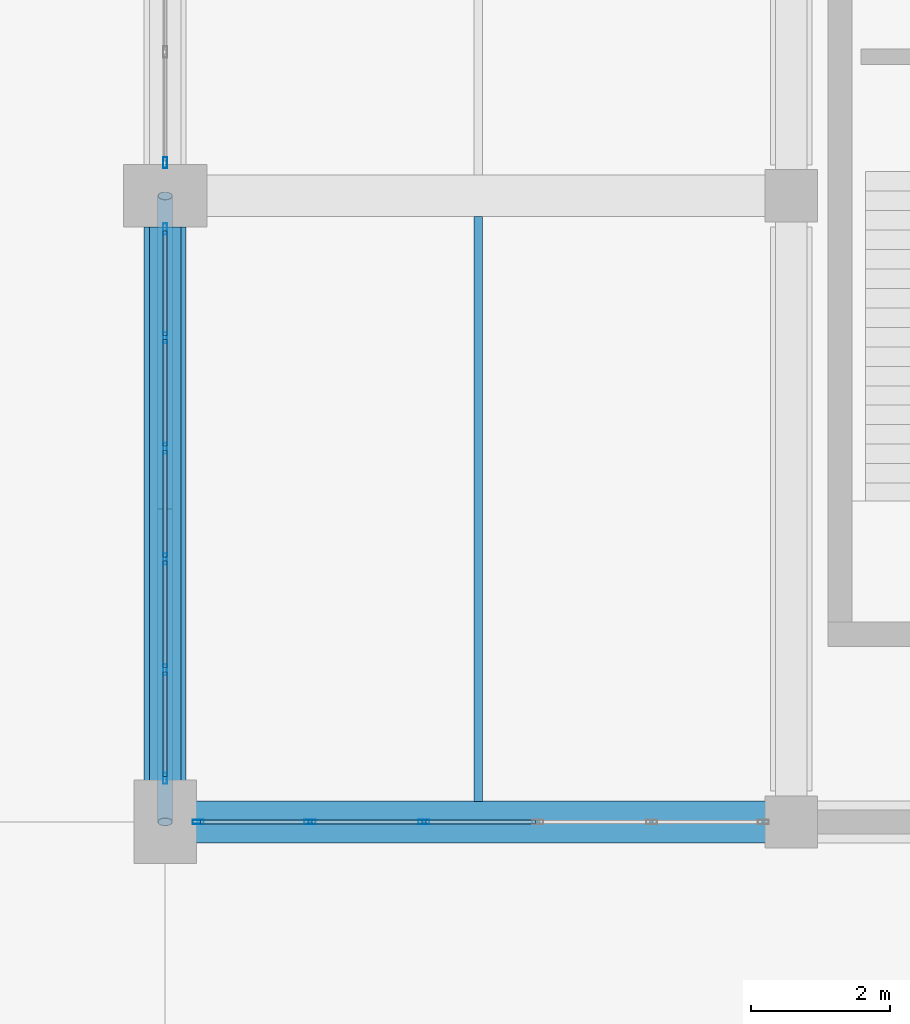
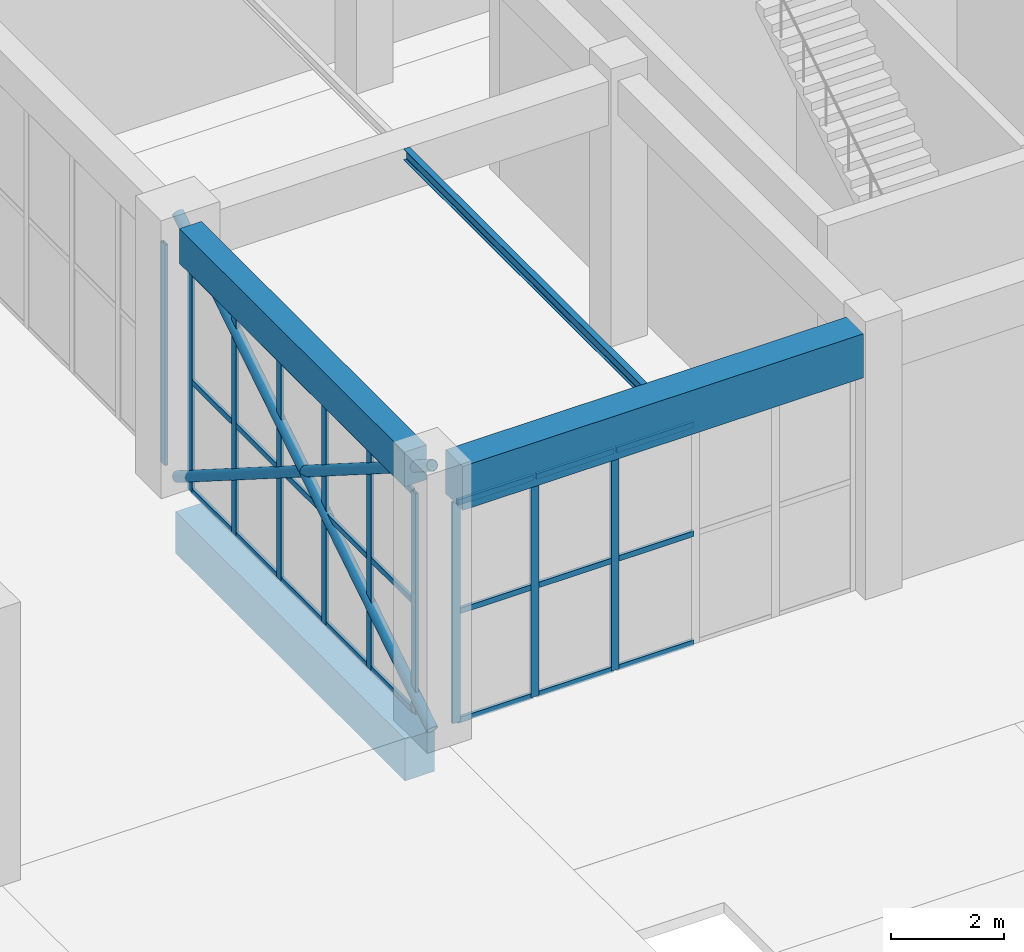
# One storey, part 30 of 91: 36 members, 4 beams, 3 elements without a shape of their own.
"""IFC4 building model written with IfcOpenShell, lengths in metres."""

from ifc_helpers import new_model, si_unit, direction, frame, origin, origin_2d, place, context, subcontext, project, spatial, rectangle, hollow_rectangle, hollow_circle, i_section, extrude, material, layer, layer_set, material_profile, profile_set, type_object, element, aggregate, save


model = new_model("IFC4")

# Units and contexts
model_context = context("Model", 3, precision=1e-05, world=origin(), true_north=direction((0.0, 1.0)))
body_context = subcontext(model_context, "Body", "Model", "MODEL_VIEW")
ifc_project = project(units=[si_unit("LENGTHUNIT", "METRE"), si_unit("AREAUNIT", "SQUARE_METRE"), si_unit("VOLUMEUNIT", "CUBIC_METRE"), si_unit("PLANEANGLEUNIT", "RADIAN"), si_unit("MASSUNIT", "GRAM", prefix="KILO")], contexts=[model_context])

# Site, building, storey
site_placement = place(None, origin())
site = spatial("IfcSite", under=ifc_project, at=site_placement, CompositionType="ELEMENT")
building_placement = place(site_placement, origin())
building = spatial("IfcBuilding", under=site, at=building_placement, Name="Dornveld Trade and Exhibition Forum", CompositionType="ELEMENT")
storey_placement = place(building_placement, origin())
storey = spatial("IfcBuildingStorey", under=building, at=storey_placement, Name="L00", CompositionType="ELEMENT", Elevation=0.0)

# Beams
ifc_material_1 = material(Name="Concrete C40/50", Category="concrete")
ifc_material_profile_1 = material_profile(ifc_material_1, rectangle(XDim=0.60009765625, YDim=0.89990234375, at=origin_2d()), Name="RC-GB 600x900")
ifc_profile_set_1 = profile_set([ifc_material_profile_1], Name="Concrete C40/50")
beam_type_1 = type_object("IfcBeamType", Name="BM-GB-600x900", PredefinedType="BEAM", material=ifc_profile_set_1)
beam_1_placement = place(storey_placement, frame((171.0, 108.446044921875, -0.830078125), z_axis=(0.0, 1.0, 0.0), x_axis=(-1.0, 0.0, 0.0)))
element("IfcBeam", 1, at=beam_1_placement, inside=storey, type_object=beam_type_1, Name="L00 Y-girder 517", PredefinedType="BEAM", context=body_context, shape_type="SweptSolid", body=[
    extrude(rectangle(XDim=0.60009765625, YDim=0.89990234375, at=origin_2d()), origin(), (0.0, 0.0, 1.0), 8.10791015625),
])
ifc_material_2 = material(Name="Steel S355J2", Category="steel")
ifc_material_profile_2 = material_profile(ifc_material_2, i_section(OverallWidth=0.1201171875, OverallDepth=0.239990234375, WebThickness=0.006103515625, FlangeThickness=0.009765625, FilletRadius=0.014892578125, at=origin_2d()), Name="IPE 240")
ifc_profile_set_2 = profile_set([ifc_material_profile_2], Name="Steel S355J2")
beam_type_2 = type_object("IfcBeamType", Name="BM-JOIST-240", PredefinedType="JOIST", material=ifc_profile_set_2)
beam_2_placement = place(storey_placement, frame((175.5, 108.297119140625, 5.580078125), z_axis=(0.0, 1.0, 0.0), x_axis=(-1.0, 0.0, 0.0)))
element("IfcBeam", 2, at=beam_2_placement, inside=storey, type_object=beam_type_2, Name="L00 secondary joist 1003", PredefinedType="JOIST", context=body_context, shape_type="SweptSolid", body=[
    extrude(i_section(OverallWidth=0.1201171875, OverallDepth=0.239990234375, WebThickness=0.006103515625, FlangeThickness=0.009765625, FilletRadius=0.014892578125, at=origin_2d()), origin(), (0.0, 0.0, 1.0), 8.40576171875),
])
ifc_material_3 = material(Name="Precast concrete C50/60", Category="concrete")
ifc_material_profile_3 = material_profile(ifc_material_3, rectangle(XDim=0.449951171875, YDim=0.75, at=origin_2d()), Name="PC-BM 450x750")
ifc_profile_set_3 = profile_set([ifc_material_profile_3], Name="Precast concrete C50/60")
beam_type_3 = type_object("IfcBeamType", Name="BM-PC-450x750", PredefinedType="BEAM", material=ifc_profile_set_3)
beam_3_placement = place(storey_placement, frame((171.0, 108.595947265625, 5.324951171875), z_axis=(0.0, 1.0, 0.0), x_axis=(-1.0, 0.0, 0.0)))
element("IfcBeam", 3, at=beam_3_placement, inside=storey, type_object=beam_type_3, Name="L00 Y-girder 979", PredefinedType="BEAM", context=body_context, shape_type="SweptSolid", body=[
    extrude(rectangle(XDim=0.449951171875, YDim=0.75, at=origin_2d()), origin(), (0.0, 0.0, 1.0), 7.9580078125),
])
ifc_material_4 = material(Name="Precast concrete C50/60", Category="concrete")
ifc_material_profile_4 = material_profile(ifc_material_4, rectangle(XDim=0.60009765625, YDim=0.949951171875, at=origin_2d()), Name="PC-GIR 600x950")
ifc_profile_set_4 = profile_set([ifc_material_profile_4], Name="Precast concrete C50/60")
beam_type_4 = type_object("IfcBeamType", Name="BM-PC-600x950", PredefinedType="T_BEAM", material=ifc_profile_set_4)
beam_4_placement = place(storey_placement, frame((171.446044921875, 108.0, 5.22509765625), z_axis=(1.0, 0.0, 0.0), x_axis=(0.0, 1.0, 0.0)))
element("IfcBeam", 4, at=beam_4_placement, inside=storey, type_object=beam_type_4, Name="L00 X-girder 955", PredefinedType="T_BEAM", context=body_context, shape_type="SweptSolid", body=[
    extrude(rectangle(XDim=0.60009765625, YDim=0.949951171875, at=origin_2d()), origin(), (0.0, 0.0, 1.0), 8.182861328125),
])

# Curtain wall, members
ifc_material_5 = material(Name="Dark-bronze anodised aluminium and low-E glass", Category="aluminium")
ifc_layer_1 = layer(ifc_material_5, 0.14501953125)
ifc_layer_set_1 = layer_set([ifc_layer_1], Name="Dark-bronze anodised aluminium and low-E glass")
curtain_wall_type_1 = type_object("IfcCurtainWallType", Name="CW-SYS-01", PredefinedType="USERDEFINED", material=ifc_layer_set_1)
curtain_wall_1_placement = place(storey_placement, origin())
curtain_wall_1 = element("IfcCurtainWall", 5, at=curtain_wall_1_placement, inside=storey, type_object=curtain_wall_type_1, Name="L00 unitised curtain wall 1", ObjectType="UNITISED_CURTAIN_WALL", PredefinedType="USERDEFINED")
ifc_material_6 = material(Name="Dark-bronze anodised aluminium", Category="aluminium")
ifc_material_profile_5 = material_profile(ifc_material_6, hollow_rectangle(XDim=0.06005859375, YDim=0.159912109375, WallThickness=0.00390625, at=origin_2d()), Name="RHS 160x60x4")
ifc_profile_set_5 = profile_set([ifc_material_profile_5], Name="Dark-bronze anodised aluminium")
member_type_1 = type_object("IfcMemberType", Name="CW-MUL-160", PredefinedType="MULLION", material=ifc_profile_set_5)
member_1_placement = place(storey_placement, frame((171.0, 108.6259765625, -0.00390625), z_axis=(0.0, 0.0, 1.0), x_axis=(-1.0, 0.0, 0.0)))
member_1 = element("IfcMember", 6, at=member_1_placement, type_object=member_type_1, Name="CW-01 mullion 1", PredefinedType="MULLION", context=body_context, shape_type="SweptSolid", body=[
    extrude(hollow_rectangle(XDim=0.06005859375, YDim=0.159912109375, WallThickness=0.00390625, at=origin_2d()), origin(), (0.0, 0.0, 1.0), 4.763916015625),
])
member_2_placement = place(storey_placement, frame((171.0, 110.1875, -0.00390625), z_axis=(0.0, 0.0, 1.0), x_axis=(-1.0, 0.0, 0.0)))
member_2 = element("IfcMember", 7, at=member_2_placement, type_object=member_type_1, Name="CW-01 mullion 2", PredefinedType="MULLION", context=body_context, shape_type="SweptSolid", body=[
    extrude(hollow_rectangle(XDim=0.06005859375, YDim=0.159912109375, WallThickness=0.00390625, at=origin_2d()), origin(), (0.0, 0.0, 1.0), 4.763916015625),
])
member_3_placement = place(storey_placement, frame((171.0, 111.779296875, -0.00390625), z_axis=(0.0, 0.0, 1.0), x_axis=(-1.0, 0.0, 0.0)))
member_3 = element("IfcMember", 8, at=member_3_placement, type_object=member_type_1, Name="CW-01 mullion 3", PredefinedType="MULLION", context=body_context, shape_type="SweptSolid", body=[
    extrude(hollow_rectangle(XDim=0.06005859375, YDim=0.159912109375, WallThickness=0.00390625, at=origin_2d()), origin(), (0.0, 0.0, 1.0), 4.763916015625),
])
member_4_placement = place(storey_placement, frame((171.0, 113.370849609375, -0.00390625), z_axis=(0.0, 0.0, 1.0), x_axis=(-1.0, 0.0, 0.0)))
member_4 = element("IfcMember", 9, at=member_4_placement, type_object=member_type_1, Name="CW-01 mullion 4", PredefinedType="MULLION", context=body_context, shape_type="SweptSolid", body=[
    extrude(hollow_rectangle(XDim=0.06005859375, YDim=0.159912109375, WallThickness=0.00390625, at=origin_2d()), origin(), (0.0, 0.0, 1.0), 4.763916015625),
])
member_5_placement = place(storey_placement, frame((171.0, 114.96240234375, -0.00390625), z_axis=(0.0, 0.0, 1.0), x_axis=(-1.0, 0.0, 0.0)))
member_5 = element("IfcMember", 10, at=member_5_placement, type_object=member_type_1, Name="CW-01 mullion 5", PredefinedType="MULLION", context=body_context, shape_type="SweptSolid", body=[
    extrude(hollow_rectangle(XDim=0.06005859375, YDim=0.159912109375, WallThickness=0.00390625, at=origin_2d()), origin(), (0.0, 0.0, 1.0), 4.763916015625),
])
member_6_placement = place(storey_placement, frame((171.0, 116.52392578125, -0.00390625), z_axis=(0.0, 0.0, 1.0), x_axis=(-1.0, 0.0, 0.0)))
member_6 = element("IfcMember", 11, at=member_6_placement, type_object=member_type_1, Name="CW-01 mullion 6", PredefinedType="MULLION", context=body_context, shape_type="SweptSolid", body=[
    extrude(hollow_rectangle(XDim=0.06005859375, YDim=0.159912109375, WallThickness=0.00390625, at=origin_2d()), origin(), (0.0, 0.0, 1.0), 4.763916015625),
])

# Curtain wall, member
ifc_material_7 = material(Name="Dark-bronze anodised aluminium and low-E glass", Category="aluminium")
ifc_layer_2 = layer(ifc_material_7, 0.14794921875)
ifc_layer_set_2 = layer_set([ifc_layer_2], Name="Dark-bronze anodised aluminium and low-E glass")
curtain_wall_type_2 = type_object("IfcCurtainWallType", Name="CW-SYS-02", PredefinedType="USERDEFINED", material=ifc_layer_set_2)
curtain_wall_2_placement = place(storey_placement, origin())
curtain_wall_2 = element("IfcCurtainWall", 12, at=curtain_wall_2_placement, inside=storey, type_object=curtain_wall_type_2, Name="L00 unitised curtain wall 2", ObjectType="UNITISED_CURTAIN_WALL", PredefinedType="USERDEFINED")
member_7_placement = place(storey_placement, frame((171.0, 117.47607421875, -0.00390625), z_axis=(0.0, 0.0, 1.0), x_axis=(-1.0, 0.0, 0.0)))
member_7 = element("IfcMember", 13, at=member_7_placement, type_object=member_type_1, Name="CW-02 mullion 1", PredefinedType="MULLION", context=body_context, shape_type="SweptSolid", body=[
    extrude(hollow_rectangle(XDim=0.06005859375, YDim=0.159912109375, WallThickness=0.00390625, at=origin_2d()), origin(), (0.0, 0.0, 1.0), 4.763916015625),
])
aggregate(curtain_wall_2, [member_7])

# Curtain wall, members
ifc_material_8 = material(Name="Dark-bronze anodised aluminium and low-E glass", Category="aluminium")
ifc_layer_3 = layer(ifc_material_8, 0.159912109375)
ifc_layer_set_3 = layer_set([ifc_layer_3], Name="Dark-bronze anodised aluminium and low-E glass")
curtain_wall_type_3 = type_object("IfcCurtainWallType", Name="CW-SYS-06", PredefinedType="USERDEFINED", material=ifc_layer_set_3)
curtain_wall_3_placement = place(storey_placement, origin())
curtain_wall_3 = element("IfcCurtainWall", 14, at=curtain_wall_3_placement, inside=storey, type_object=curtain_wall_type_3, Name="L00 unitised curtain wall 96", ObjectType="UNITISED_CURTAIN_WALL", PredefinedType="USERDEFINED")
member_8_placement = place(storey_placement, frame((171.47607421875, 108.0, -0.00390625), z_axis=(0.0, 0.0, 1.0), x_axis=(0.0, 1.0, 0.0)))
member_8 = element("IfcMember", 15, at=member_8_placement, type_object=member_type_1, Name="CW-06 mullion 1", PredefinedType="MULLION", context=body_context, shape_type="SweptSolid", body=[
    extrude(hollow_rectangle(XDim=0.06005859375, YDim=0.159912109375, WallThickness=0.00390625, at=origin_2d()), origin(), (0.0, 0.0, 1.0), 4.763916015625),
])
member_9_placement = place(storey_placement, frame((173.08251953125, 108.0, -0.00390625), z_axis=(0.0, 0.0, 1.0), x_axis=(0.0, 1.0, 0.0)))
member_9 = element("IfcMember", 16, at=member_9_placement, type_object=member_type_1, Name="CW-06 mullion 2", PredefinedType="MULLION", context=body_context, shape_type="SweptSolid", body=[
    extrude(hollow_rectangle(XDim=0.06005859375, YDim=0.159912109375, WallThickness=0.00390625, at=origin_2d()), origin(), (0.0, 0.0, 1.0), 4.763916015625),
])
member_10_placement = place(storey_placement, frame((174.71923828125, 108.0, -0.00390625), z_axis=(0.0, 0.0, 1.0), x_axis=(0.0, 1.0, 0.0)))
member_10 = element("IfcMember", 17, at=member_10_placement, type_object=member_type_1, Name="CW-06 mullion 3", PredefinedType="MULLION", context=body_context, shape_type="SweptSolid", body=[
    extrude(hollow_rectangle(XDim=0.06005859375, YDim=0.159912109375, WallThickness=0.00390625, at=origin_2d()), origin(), (0.0, 0.0, 1.0), 4.763916015625),
])

# Member
ifc_material_9 = material(Name="Dark-bronze anodised aluminium", Category="aluminium")
ifc_material_profile_6 = material_profile(ifc_material_9, hollow_rectangle(XDim=0.06005859375, YDim=0.1201171875, WallThickness=0.00390625, at=origin_2d()), Name="RHS 120x60x4")
ifc_profile_set_6 = profile_set([ifc_material_profile_6], Name="Dark-bronze anodised aluminium")
member_type_2 = type_object("IfcMemberType", Name="CW-TRN-120", PredefinedType="USERDEFINED", material=ifc_profile_set_6)
member_11_placement = place(storey_placement, frame((171.0, 108.656005859375, 0.02587890625), z_axis=(0.0, 1.0, 0.0), x_axis=(-1.0, 0.0, 0.0)))
member_11 = element("IfcMember", 18, at=member_11_placement, type_object=member_type_2, Name="CW-01 transom 1.1", ObjectType="TRANSOM", PredefinedType="USERDEFINED", context=body_context, shape_type="SweptSolid", body=[
    extrude(hollow_rectangle(XDim=0.06005859375, YDim=0.1201171875, WallThickness=0.00390625, at=origin_2d()), origin(), (0.0, 0.0, 1.0), 1.501708984375),
])

member_12_placement = place(storey_placement, frame((171.0, 108.656005859375, 2.3779296875), z_axis=(0.0, 1.0, 0.0), x_axis=(-1.0, 0.0, 0.0)))
member_12 = element("IfcMember", 19, at=member_12_placement, type_object=member_type_2, Name="CW-01 transom 1.2", ObjectType="TRANSOM", PredefinedType="USERDEFINED", context=body_context, shape_type="SweptSolid", body=[
    extrude(hollow_rectangle(XDim=0.06005859375, YDim=0.1201171875, WallThickness=0.00390625, at=origin_2d()), origin(), (0.0, 0.0, 1.0), 1.501708984375),
])

member_13_placement = place(storey_placement, frame((171.0, 108.656005859375, 4.72998046875), z_axis=(0.0, 1.0, 0.0), x_axis=(-1.0, 0.0, 0.0)))
member_13 = element("IfcMember", 20, at=member_13_placement, type_object=member_type_2, Name="CW-01 transom 1.3", ObjectType="TRANSOM", PredefinedType="USERDEFINED", context=body_context, shape_type="SweptSolid", body=[
    extrude(hollow_rectangle(XDim=0.06005859375, YDim=0.1201171875, WallThickness=0.00390625, at=origin_2d()), origin(), (0.0, 0.0, 1.0), 1.501708984375),
])

member_14_placement = place(storey_placement, frame((171.0, 110.217529296875, 0.02587890625), z_axis=(0.0, 1.0, 0.0), x_axis=(-1.0, 0.0, 0.0)))
member_14 = element("IfcMember", 21, at=member_14_placement, type_object=member_type_2, Name="CW-01 transom 2.1", ObjectType="TRANSOM", PredefinedType="USERDEFINED", context=body_context, shape_type="SweptSolid", body=[
    extrude(hollow_rectangle(XDim=0.06005859375, YDim=0.1201171875, WallThickness=0.00390625, at=origin_2d()), origin(), (0.0, 0.0, 1.0), 1.53173828125),
])

member_15_placement = place(storey_placement, frame((171.0, 110.217529296875, 2.3779296875), z_axis=(0.0, 1.0, 0.0), x_axis=(-1.0, 0.0, 0.0)))
member_15 = element("IfcMember", 22, at=member_15_placement, type_object=member_type_2, Name="CW-01 transom 2.2", ObjectType="TRANSOM", PredefinedType="USERDEFINED", context=body_context, shape_type="SweptSolid", body=[
    extrude(hollow_rectangle(XDim=0.06005859375, YDim=0.1201171875, WallThickness=0.00390625, at=origin_2d()), origin(), (0.0, 0.0, 1.0), 1.53173828125),
])

member_16_placement = place(storey_placement, frame((171.0, 110.217529296875, 4.72998046875), z_axis=(0.0, 1.0, 0.0), x_axis=(-1.0, 0.0, 0.0)))
member_16 = element("IfcMember", 23, at=member_16_placement, type_object=member_type_2, Name="CW-01 transom 2.3", ObjectType="TRANSOM", PredefinedType="USERDEFINED", context=body_context, shape_type="SweptSolid", body=[
    extrude(hollow_rectangle(XDim=0.06005859375, YDim=0.1201171875, WallThickness=0.00390625, at=origin_2d()), origin(), (0.0, 0.0, 1.0), 1.53173828125),
])

member_17_placement = place(storey_placement, frame((171.0, 111.80908203125, 0.02587890625), z_axis=(0.0, 1.0, 0.0), x_axis=(-1.0, 0.0, 0.0)))
member_17 = element("IfcMember", 24, at=member_17_placement, type_object=member_type_2, Name="CW-01 transom 3.1", ObjectType="TRANSOM", PredefinedType="USERDEFINED", context=body_context, shape_type="SweptSolid", body=[
    extrude(hollow_rectangle(XDim=0.06005859375, YDim=0.1201171875, WallThickness=0.00390625, at=origin_2d()), origin(), (0.0, 0.0, 1.0), 1.53173828125),
])

member_18_placement = place(storey_placement, frame((171.0, 111.80908203125, 2.3779296875), z_axis=(0.0, 1.0, 0.0), x_axis=(-1.0, 0.0, 0.0)))
member_18 = element("IfcMember", 25, at=member_18_placement, type_object=member_type_2, Name="CW-01 transom 3.2", ObjectType="TRANSOM", PredefinedType="USERDEFINED", context=body_context, shape_type="SweptSolid", body=[
    extrude(hollow_rectangle(XDim=0.06005859375, YDim=0.1201171875, WallThickness=0.00390625, at=origin_2d()), origin(), (0.0, 0.0, 1.0), 1.53173828125),
])

member_19_placement = place(storey_placement, frame((171.0, 111.80908203125, 4.72998046875), z_axis=(0.0, 1.0, 0.0), x_axis=(-1.0, 0.0, 0.0)))
member_19 = element("IfcMember", 26, at=member_19_placement, type_object=member_type_2, Name="CW-01 transom 3.3", ObjectType="TRANSOM", PredefinedType="USERDEFINED", context=body_context, shape_type="SweptSolid", body=[
    extrude(hollow_rectangle(XDim=0.06005859375, YDim=0.1201171875, WallThickness=0.00390625, at=origin_2d()), origin(), (0.0, 0.0, 1.0), 1.53173828125),
])

member_20_placement = place(storey_placement, frame((171.0, 113.40087890625, 0.02587890625), z_axis=(0.0, 1.0, 0.0), x_axis=(-1.0, 0.0, 0.0)))
member_20 = element("IfcMember", 27, at=member_20_placement, type_object=member_type_2, Name="CW-01 transom 4.1", ObjectType="TRANSOM", PredefinedType="USERDEFINED", context=body_context, shape_type="SweptSolid", body=[
    extrude(hollow_rectangle(XDim=0.06005859375, YDim=0.1201171875, WallThickness=0.00390625, at=origin_2d()), origin(), (0.0, 0.0, 1.0), 1.531494140625),
])

member_21_placement = place(storey_placement, frame((171.0, 113.40087890625, 2.3779296875), z_axis=(0.0, 1.0, 0.0), x_axis=(-1.0, 0.0, 0.0)))
member_21 = element("IfcMember", 28, at=member_21_placement, type_object=member_type_2, Name="CW-01 transom 4.2", ObjectType="TRANSOM", PredefinedType="USERDEFINED", context=body_context, shape_type="SweptSolid", body=[
    extrude(hollow_rectangle(XDim=0.06005859375, YDim=0.1201171875, WallThickness=0.00390625, at=origin_2d()), origin(), (0.0, 0.0, 1.0), 1.531494140625),
])

member_22_placement = place(storey_placement, frame((171.0, 113.40087890625, 4.72998046875), z_axis=(0.0, 1.0, 0.0), x_axis=(-1.0, 0.0, 0.0)))
member_22 = element("IfcMember", 29, at=member_22_placement, type_object=member_type_2, Name="CW-01 transom 4.3", ObjectType="TRANSOM", PredefinedType="USERDEFINED", context=body_context, shape_type="SweptSolid", body=[
    extrude(hollow_rectangle(XDim=0.06005859375, YDim=0.1201171875, WallThickness=0.00390625, at=origin_2d()), origin(), (0.0, 0.0, 1.0), 1.531494140625),
])

member_23_placement = place(storey_placement, frame((171.0, 114.992431640625, 0.02587890625), z_axis=(0.0, 1.0, 0.0), x_axis=(-1.0, 0.0, 0.0)))
member_23 = element("IfcMember", 30, at=member_23_placement, type_object=member_type_2, Name="CW-01 transom 5.1", ObjectType="TRANSOM", PredefinedType="USERDEFINED", context=body_context, shape_type="SweptSolid", body=[
    extrude(hollow_rectangle(XDim=0.06005859375, YDim=0.1201171875, WallThickness=0.00390625, at=origin_2d()), origin(), (0.0, 0.0, 1.0), 1.50146484375),
])

member_24_placement = place(storey_placement, frame((171.0, 114.992431640625, 2.3779296875), z_axis=(0.0, 1.0, 0.0), x_axis=(-1.0, 0.0, 0.0)))
member_24 = element("IfcMember", 31, at=member_24_placement, type_object=member_type_2, Name="CW-01 transom 5.2", ObjectType="TRANSOM", PredefinedType="USERDEFINED", context=body_context, shape_type="SweptSolid", body=[
    extrude(hollow_rectangle(XDim=0.06005859375, YDim=0.1201171875, WallThickness=0.00390625, at=origin_2d()), origin(), (0.0, 0.0, 1.0), 1.50146484375),
])

member_25_placement = place(storey_placement, frame((171.0, 114.992431640625, 4.72998046875), z_axis=(0.0, 1.0, 0.0), x_axis=(-1.0, 0.0, 0.0)))
member_25 = element("IfcMember", 32, at=member_25_placement, type_object=member_type_2, Name="CW-01 transom 5.3", ObjectType="TRANSOM", PredefinedType="USERDEFINED", context=body_context, shape_type="SweptSolid", body=[
    extrude(hollow_rectangle(XDim=0.06005859375, YDim=0.1201171875, WallThickness=0.00390625, at=origin_2d()), origin(), (0.0, 0.0, 1.0), 1.50146484375),
])

aggregate(curtain_wall_1, [member_1, member_2, member_3, member_4, member_5, member_6, member_11, member_12, member_13, member_14, member_15, member_16, member_17, member_18, member_19, member_20, member_21, member_22, member_23, member_24, member_25])

member_26_placement = place(storey_placement, frame((171.506103515625, 108.0, 0.02587890625), z_axis=(1.0, 0.0, 0.0), x_axis=(0.0, 1.0, 0.0)))
member_26 = element("IfcMember", 33, at=member_26_placement, type_object=member_type_2, Name="CW-06 transom 1.1", ObjectType="TRANSOM", PredefinedType="USERDEFINED", context=body_context, shape_type="SweptSolid", body=[
    extrude(hollow_rectangle(XDim=0.06005859375, YDim=0.1201171875, WallThickness=0.00390625, at=origin_2d()), origin(), (0.0, 0.0, 1.0), 1.54638671875),
])

member_27_placement = place(storey_placement, frame((171.506103515625, 108.0, 2.3779296875), z_axis=(1.0, 0.0, 0.0), x_axis=(0.0, 1.0, 0.0)))
member_27 = element("IfcMember", 34, at=member_27_placement, type_object=member_type_2, Name="CW-06 transom 1.2", ObjectType="TRANSOM", PredefinedType="USERDEFINED", context=body_context, shape_type="SweptSolid", body=[
    extrude(hollow_rectangle(XDim=0.06005859375, YDim=0.1201171875, WallThickness=0.00390625, at=origin_2d()), origin(), (0.0, 0.0, 1.0), 1.54638671875),
])

member_28_placement = place(storey_placement, frame((171.506103515625, 108.0, 4.72998046875), z_axis=(1.0, 0.0, 0.0), x_axis=(0.0, 1.0, 0.0)))
member_28 = element("IfcMember", 35, at=member_28_placement, type_object=member_type_2, Name="CW-06 transom 1.3", ObjectType="TRANSOM", PredefinedType="USERDEFINED", context=body_context, shape_type="SweptSolid", body=[
    extrude(hollow_rectangle(XDim=0.06005859375, YDim=0.1201171875, WallThickness=0.00390625, at=origin_2d()), origin(), (0.0, 0.0, 1.0), 1.54638671875),
])

member_29_placement = place(storey_placement, frame((173.112548828125, 108.0, 0.02587890625), z_axis=(1.0, 0.0, 0.0), x_axis=(0.0, 1.0, 0.0)))
member_29 = element("IfcMember", 36, at=member_29_placement, type_object=member_type_2, Name="CW-06 transom 2.1", ObjectType="TRANSOM", PredefinedType="USERDEFINED", context=body_context, shape_type="SweptSolid", body=[
    extrude(hollow_rectangle(XDim=0.06005859375, YDim=0.1201171875, WallThickness=0.00390625, at=origin_2d()), origin(), (0.0, 0.0, 1.0), 1.57666015625),
])

member_30_placement = place(storey_placement, frame((173.112548828125, 108.0, 2.3779296875), z_axis=(1.0, 0.0, 0.0), x_axis=(0.0, 1.0, 0.0)))
member_30 = element("IfcMember", 37, at=member_30_placement, type_object=member_type_2, Name="CW-06 transom 2.2", ObjectType="TRANSOM", PredefinedType="USERDEFINED", context=body_context, shape_type="SweptSolid", body=[
    extrude(hollow_rectangle(XDim=0.06005859375, YDim=0.1201171875, WallThickness=0.00390625, at=origin_2d()), origin(), (0.0, 0.0, 1.0), 1.57666015625),
])

member_31_placement = place(storey_placement, frame((173.112548828125, 108.0, 4.72998046875), z_axis=(1.0, 0.0, 0.0), x_axis=(0.0, 1.0, 0.0)))
member_31 = element("IfcMember", 38, at=member_31_placement, type_object=member_type_2, Name="CW-06 transom 2.3", ObjectType="TRANSOM", PredefinedType="USERDEFINED", context=body_context, shape_type="SweptSolid", body=[
    extrude(hollow_rectangle(XDim=0.06005859375, YDim=0.1201171875, WallThickness=0.00390625, at=origin_2d()), origin(), (0.0, 0.0, 1.0), 1.57666015625),
])

member_32_placement = place(storey_placement, frame((174.749267578125, 108.0, 0.02587890625), z_axis=(1.0, 0.0, 0.0), x_axis=(0.0, 1.0, 0.0)))
member_32 = element("IfcMember", 39, at=member_32_placement, type_object=member_type_2, Name="CW-06 transom 3.1", ObjectType="TRANSOM", PredefinedType="USERDEFINED", context=body_context, shape_type="SweptSolid", body=[
    extrude(hollow_rectangle(XDim=0.06005859375, YDim=0.1201171875, WallThickness=0.00390625, at=origin_2d()), origin(), (0.0, 0.0, 1.0), 1.576416015625),
])

member_33_placement = place(storey_placement, frame((174.749267578125, 108.0, 2.3779296875), z_axis=(1.0, 0.0, 0.0), x_axis=(0.0, 1.0, 0.0)))
member_33 = element("IfcMember", 40, at=member_33_placement, type_object=member_type_2, Name="CW-06 transom 3.2", ObjectType="TRANSOM", PredefinedType="USERDEFINED", context=body_context, shape_type="SweptSolid", body=[
    extrude(hollow_rectangle(XDim=0.06005859375, YDim=0.1201171875, WallThickness=0.00390625, at=origin_2d()), origin(), (0.0, 0.0, 1.0), 1.576416015625),
])

member_34_placement = place(storey_placement, frame((174.749267578125, 108.0, 4.72998046875), z_axis=(1.0, 0.0, 0.0), x_axis=(0.0, 1.0, 0.0)))
member_34 = element("IfcMember", 41, at=member_34_placement, type_object=member_type_2, Name="CW-06 transom 3.3", ObjectType="TRANSOM", PredefinedType="USERDEFINED", context=body_context, shape_type="SweptSolid", body=[
    extrude(hollow_rectangle(XDim=0.06005859375, YDim=0.1201171875, WallThickness=0.00390625, at=origin_2d()), origin(), (0.0, 0.0, 1.0), 1.576416015625),
])

aggregate(curtain_wall_3, [member_8, member_9, member_10, member_26, member_27, member_28, member_29, member_30, member_31, member_32, member_33, member_34])

# Members
ifc_material_10 = material(Name="Steel S355J2", Category="steel")
ifc_material_profile_7 = material_profile(ifc_material_10, hollow_circle(Radius=0.109619140625, WallThickness=0.010009765625, at=origin_2d()), Name="CHS 219.1x10")
ifc_profile_set_7 = profile_set([ifc_material_profile_7], Name="Steel S355J2")
member_type_3 = type_object("IfcMemberType", Name="MEM-BRACE-219", PredefinedType="BRACE", material=ifc_profile_set_7)
for number, where, z_axis, x_axis, name in (
    (42, (171.0, 108.0, 0.0), (0.0, 0.844821147368, 0.535048809885), (-1.0, 0.0, 0.0), "L00 braced frame diagonal 2A"),
    (43, (171.0, 117.0, 0.0), (0.0, -0.844821147368, 0.535048809885), (1.0, 0.0, 0.0), "L00 braced frame diagonal 2B"),
):
    element("IfcMember", number, at=place(storey_placement, frame(where, z_axis=z_axis, x_axis=x_axis)), inside=storey, type_object=member_type_3, Name=name, PredefinedType="BRACE", context=body_context, shape_type="SweptSolid", body=[
        extrude(hollow_circle(Radius=0.109619140625, WallThickness=0.010009765625, at=origin_2d()), origin(), (0.0, 0.0, 1.0), 10.653076171875),
    ])

save(model, "model.ifc")
